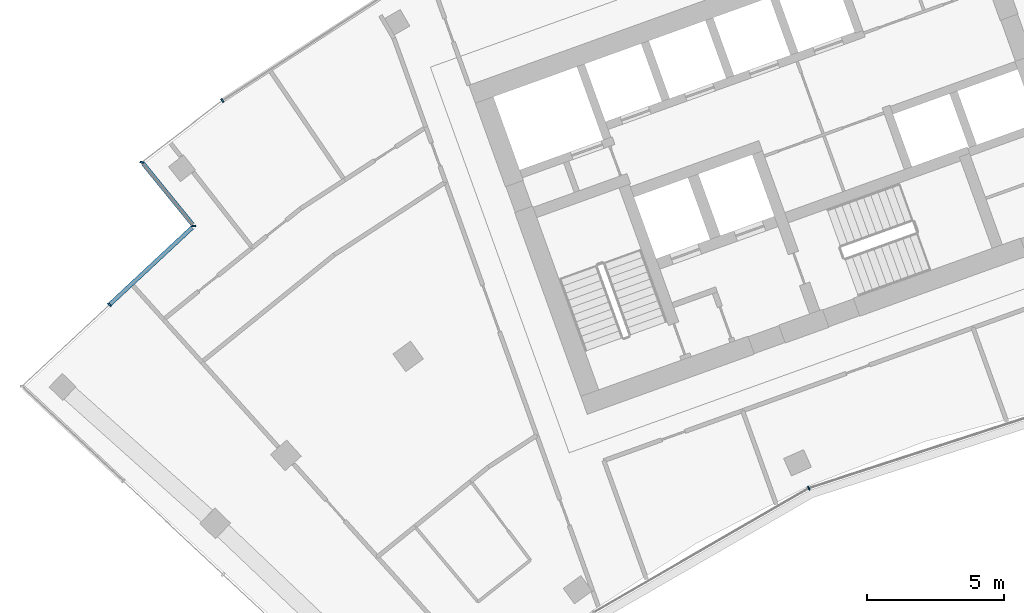
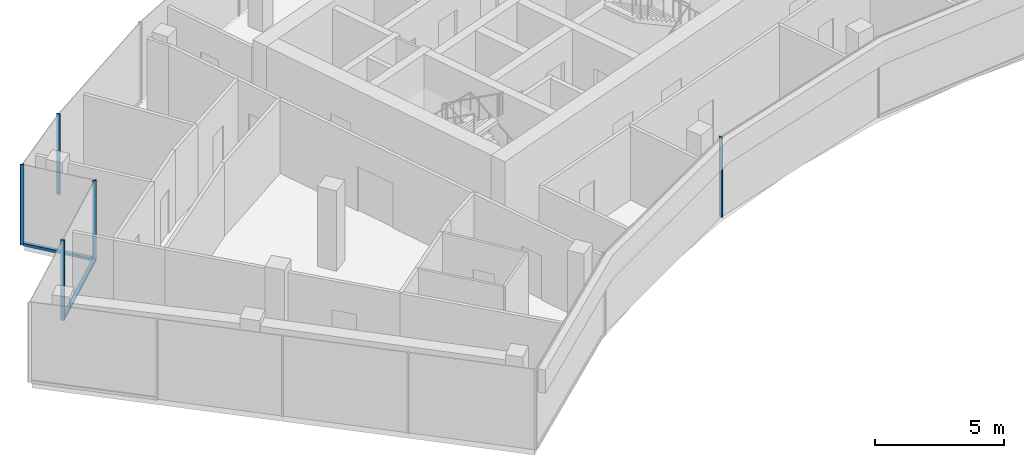
# One storey, part 3 of 18: 7 members, 4 elements without a shape of their own.
"""IFC4 building model written with IfcOpenShell, lengths in metres."""

from ifc_helpers import new_model, si_unit, direction, frame, origin, origin_2d, place, context, subcontext, project, spatial, rectangle, extrude, material, layer, layer_set, material_profile, profile_set, type_object, element, aggregate, save


model = new_model("IFC4")

# Units and contexts
model_context = context("Model", 3, precision=1e-05, world=origin(), true_north=direction((0.0, 1.0)))
body_context = subcontext(model_context, "Body", "Model", "MODEL_VIEW")
ifc_project = project(units=[si_unit("LENGTHUNIT", "METRE"), si_unit("AREAUNIT", "SQUARE_METRE"), si_unit("VOLUMEUNIT", "CUBIC_METRE"), si_unit("PLANEANGLEUNIT", "RADIAN"), si_unit("MASSUNIT", "GRAM", prefix="KILO")], contexts=[model_context])

# Site, building, storey
site_placement = place(None, origin())
site = spatial("IfcSite", under=ifc_project, at=site_placement, CompositionType="ELEMENT")
building_placement = place(site_placement, origin())
building = spatial("IfcBuilding", under=site, at=building_placement, Name="Stone Belt Terrace Tower", CompositionType="ELEMENT")
storey_placement = place(building_placement, frame((0.0, 0.0, 261.800048828125)))
storey = spatial("IfcBuildingStorey", under=building, at=storey_placement, Name="L63", CompositionType="ELEMENT", Elevation=261.800048828125)

# Curtain wall, member
ifc_material = material(Name="Aluminium 6063-T6 anodised frame", Category="aluminium")
ifc_layer_1 = layer(ifc_material, 0.14990234375)
ifc_layer_set_1 = layer_set([ifc_layer_1], Name="CW-A unitised convex-face curtain wall")
curtain_wall_type_1 = type_object("IfcCurtainWallType", Name="CW-A unitised convex-face curtain wall", PredefinedType="NOTDEFINED", material=ifc_layer_set_1)
curtain_wall_1_placement = place(storey_placement, origin())
curtain_wall_1 = element("IfcCurtainWall", 1, at=curtain_wall_1_placement, inside=storey, type_object=curtain_wall_type_1, Name="CW-A convex face L63", PredefinedType="NOTDEFINED")
ifc_material_profile_1 = material_profile(ifc_material, rectangle(XDim=0.14990234375, YDim=0.06005859375, at=origin_2d()), Name="Aluminium 6063-T6 60x150")
ifc_profile_set_1 = profile_set([ifc_material_profile_1], Name="Aluminium 6063-T6 anodised frame")
member_type_1 = type_object("IfcMemberType", Name="CW-A mullion 60 x 150", PredefinedType="MULLION", material=ifc_profile_set_1)
member_1_placement = place(storey_placement, frame((-39.131103515625, 53.86083984375, 0.0), z_axis=(0.0, 0.0, 1.0), x_axis=(0.577587125789, -0.816329046477, 0.0)))
member_1 = element("IfcMember", 2, at=member_1_placement, type_object=member_type_1, Name="CW-A mullion 14", PredefinedType="MULLION", context=body_context, shape_type="SweptSolid", body=[
    extrude(rectangle(XDim=0.14990234375, YDim=0.06005859375, at=origin_2d()), origin(), (0.0, 0.0, 1.0), 3.800048828125),
])
aggregate(curtain_wall_1, [member_1])

ifc_layer_2 = layer(ifc_material, 0.14990234375)
ifc_layer_set_2 = layer_set([ifc_layer_2], Name="CW-B unitised concave-face curtain wall")
curtain_wall_type_2 = type_object("IfcCurtainWallType", Name="CW-B unitised concave-face curtain wall", PredefinedType="NOTDEFINED", material=ifc_layer_set_2)
curtain_wall_2_placement = place(storey_placement, origin())
curtain_wall_2 = element("IfcCurtainWall", 3, at=curtain_wall_2_placement, inside=storey, type_object=curtain_wall_type_2, Name="CW-B concave face L63", PredefinedType="NOTDEFINED")
ifc_material_profile_2 = material_profile(ifc_material, rectangle(XDim=0.14990234375, YDim=0.050048828125, at=origin_2d()), Name="Aluminium 6063-T6 50x150")
ifc_profile_set_2 = profile_set([ifc_material_profile_2], Name="Aluminium 6063-T6 anodised frame")
member_type_2 = type_object("IfcMemberType", Name="CW-B mullion 50 x 150", PredefinedType="MULLION", material=ifc_profile_set_2)
member_2_placement = place(storey_placement, frame((-17.662353515625, 39.67041015625, 0.0), z_axis=(0.0, 0.0, 1.0), x_axis=(-0.406736643076, 0.913545457643, 0.0)))
member_2 = element("IfcMember", 4, at=member_2_placement, type_object=member_type_2, Name="CW-B mullion 3", PredefinedType="MULLION", context=body_context, shape_type="SweptSolid", body=[
    extrude(rectangle(XDim=0.14990234375, YDim=0.050048828125, at=origin_2d()), origin(), (0.0, 0.0, 1.0), 3.800048828125),
])
aggregate(curtain_wall_2, [member_2])

ifc_layer_3 = layer(ifc_material, 0.14990234375)
ifc_layer_set_3 = layer_set([ifc_layer_3], Name="CW-C stick curtain wall, horn ends and notches")
curtain_wall_type_3 = type_object("IfcCurtainWallType", Name="CW-C stick curtain wall, horn ends and notches", PredefinedType="NOTDEFINED", material=ifc_layer_set_3)
curtain_wall_3_placement = place(storey_placement, origin())
curtain_wall_3 = element("IfcCurtainWall", 5, at=curtain_wall_3_placement, inside=storey, type_object=curtain_wall_type_3, Name="CW-C notch face L63", PredefinedType="NOTDEFINED")
ifc_material_profile_3 = material_profile(ifc_material, rectangle(XDim=0.14990234375, YDim=0.06005859375, at=origin_2d()), Name="Aluminium 6063-T6 60x150")
ifc_profile_set_3 = profile_set([ifc_material_profile_3], Name="Aluminium 6063-T6 anodised frame")
member_type_3 = type_object("IfcMemberType", Name="CW-C mullion 60 x 150", PredefinedType="MULLION", material=ifc_profile_set_3)
member_3_placement = place(storey_placement, frame((-42.068359375, 51.60205078125, 0.0), z_axis=(0.0, 0.0, 1.0), x_axis=(0.993258004644, -0.115924700604, 0.0)))
member_3 = element("IfcMember", 6, at=member_3_placement, type_object=member_type_3, Name="CW-C mullion 1", PredefinedType="MULLION", context=body_context, shape_type="SweptSolid", body=[
    extrude(rectangle(XDim=0.14990234375, YDim=0.06005859375, at=origin_2d()), origin(), (0.0, 0.0, 1.0), 3.800048828125),
])

# Curtain wall, members
curtain_wall_4_placement = place(storey_placement, origin())
curtain_wall_4 = element("IfcCurtainWall", 7, at=curtain_wall_4_placement, inside=storey, type_object=curtain_wall_type_3, Name="CW-C notch face L63", PredefinedType="NOTDEFINED")
member_4_placement = place(storey_placement, frame((-40.1708984375, 49.269287109375, 0.0), z_axis=(0.0, 0.0, 1.0), x_axis=(0.997639702696, -0.068666029474, 0.0)))
member_4 = element("IfcMember", 8, at=member_4_placement, type_object=member_type_3, Name="CW-C mullion 1", PredefinedType="MULLION", context=body_context, shape_type="SweptSolid", body=[
    extrude(rectangle(XDim=0.14990234375, YDim=0.06005859375, at=origin_2d()), origin(), (0.0, 0.0, 1.0), 3.800048828125),
])
member_5_placement = place(storey_placement, frame((-43.260009765625, 46.388671875, 0.0), z_axis=(0.0, 0.0, 1.0), x_axis=(0.682013767261, -0.731339333871, 0.0)))
member_5 = element("IfcMember", 9, at=member_5_placement, type_object=member_type_3, Name="CW-C mullion 2", PredefinedType="MULLION", context=body_context, shape_type="SweptSolid", body=[
    extrude(rectangle(XDim=0.14990234375, YDim=0.06005859375, at=origin_2d()), origin(), (0.0, 0.0, 1.0), 3.800048828125),
])

# Member
ifc_material_profile_4 = material_profile(ifc_material, rectangle(XDim=0.14990234375, YDim=0.1201171875, at=origin_2d()), Name="Aluminium 6063-T6 150x120")
ifc_profile_set_4 = profile_set([ifc_material_profile_4], Name="Aluminium 6063-T6 anodised frame")
member_type_4 = type_object("IfcMemberType", Name="CW-C transom 120 x 150", PredefinedType="USERDEFINED", material=ifc_profile_set_4)
member_6_placement = place(storey_placement, frame((-42.021240234375, 51.5439453125, 0.06005859375), z_axis=(0.631026504781, -0.775761271439, 0.0), x_axis=(0.775761271439, 0.631026504781, 0.0)))
member_6 = element("IfcMember", 10, at=member_6_placement, type_object=member_type_4, Name="CW-C transom 1.1", ObjectType="TRANSOM", PredefinedType="USERDEFINED", context=body_context, shape_type="SweptSolid", body=[
    extrude(rectangle(XDim=0.14990234375, YDim=0.1201171875, at=origin_2d()), origin(), (0.0, 0.0, 1.0), 2.859130859375),
])

aggregate(curtain_wall_3, [member_3, member_6])

member_7_placement = place(storey_placement, frame((-40.224365234375, 49.21923828125, 0.06005859375), z_axis=(-0.731382255625, -0.681967738355, 0.0), x_axis=(0.681967738355, -0.731382255625, 0.0)))
member_7 = element("IfcMember", 11, at=member_7_placement, type_object=member_type_4, Name="CW-C transom 1.1", ObjectType="TRANSOM", PredefinedType="USERDEFINED", context=body_context, shape_type="SweptSolid", body=[
    extrude(rectangle(XDim=0.14990234375, YDim=0.1201171875, at=origin_2d()), origin(), (0.0, 0.0, 1.0), 4.12060546875),
])

aggregate(curtain_wall_4, [member_4, member_5, member_7])

save(model, "model.ifc")
